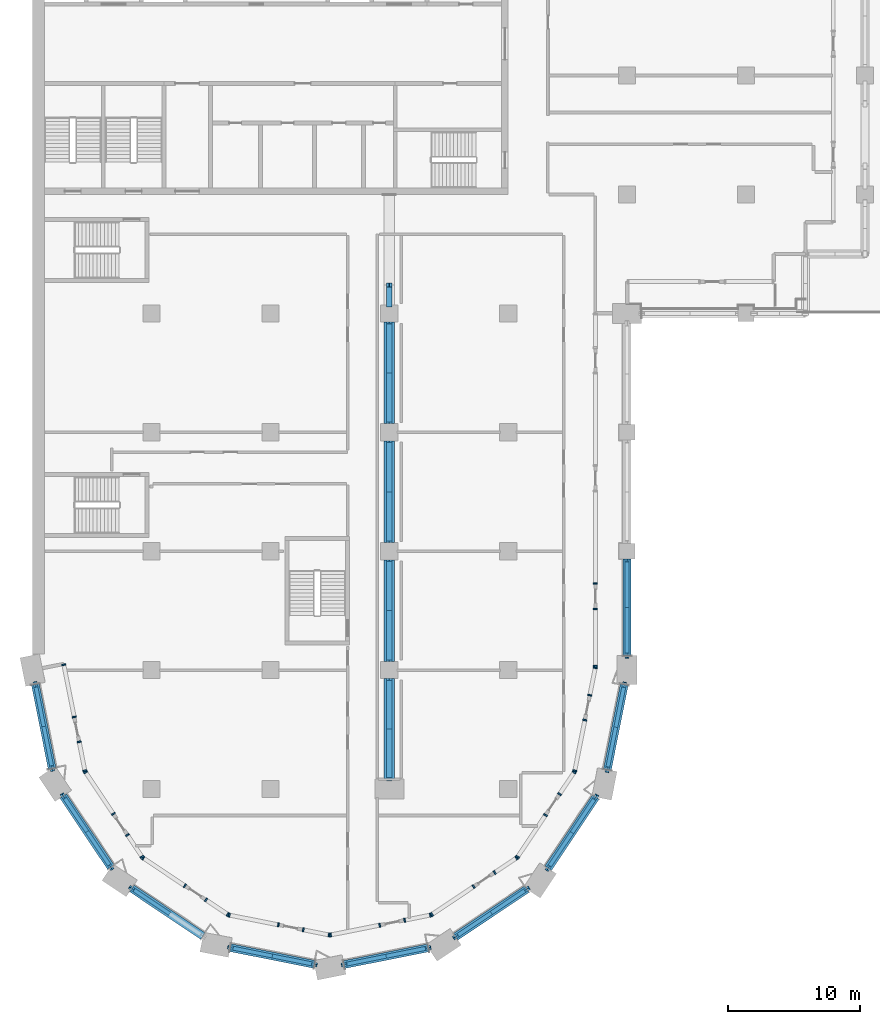
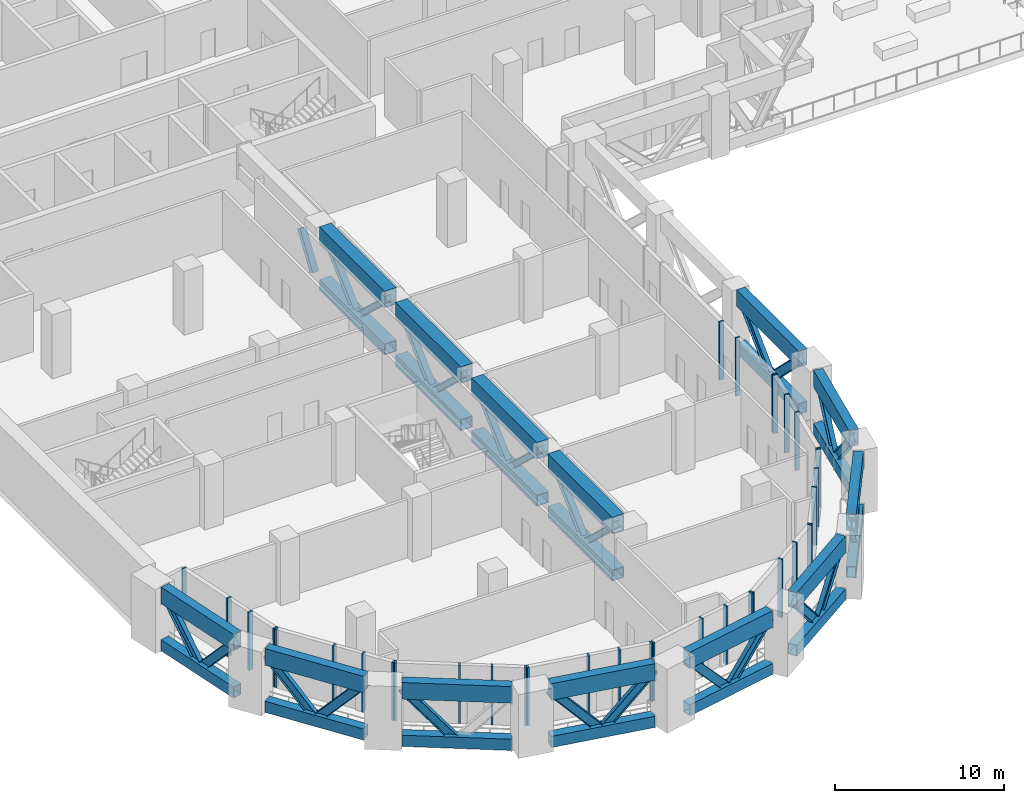
# One storey, part 2 of 22: 87 members.
"""IFC4 building model written with IfcOpenShell, lengths in metres."""

from ifc_helpers import new_model, si_unit, direction, frame, origin, origin_2d, place, context, subcontext, project, spatial, rectangle, hollow_rectangle, i_section, extrude, material, material_profile, profile_set, type_object, element, save


model = new_model("IFC4")

# Units and contexts
model_context = context("Model", 3, precision=1e-05, world=origin(), true_north=direction((0.0, 1.0)))
body_context = subcontext(model_context, "Body", "Model", "MODEL_VIEW")
ifc_project = project(units=[si_unit("LENGTHUNIT", "METRE"), si_unit("AREAUNIT", "SQUARE_METRE"), si_unit("VOLUMEUNIT", "CUBIC_METRE"), si_unit("PLANEANGLEUNIT", "RADIAN"), si_unit("MASSUNIT", "GRAM", prefix="KILO")], contexts=[model_context])

# Site, building, storey
site_placement = place(None, origin())
site = spatial("IfcSite", under=ifc_project, at=site_placement, CompositionType="ELEMENT")
building_placement = place(site_placement, origin())
building = spatial("IfcBuilding", under=site, at=building_placement, Name="Hunhe Ridgeline Campus", CompositionType="ELEMENT")
storey_placement = place(building_placement, frame((0.0, 0.0, 129.199951171875)))
storey = spatial("IfcBuildingStorey", under=building, at=storey_placement, Name="L32", CompositionType="ELEMENT", Elevation=129.199951171875)

# Members
ifc_material_1 = material(Name="Steel Q420", Category="steel")
ifc_material_profile_1 = material_profile(ifc_material_1, hollow_rectangle(XDim=0.60009765625, YDim=0.800048828125, WallThickness=0.035888671875, at=origin_2d()))
ifc_profile_set_1 = profile_set([ifc_material_profile_1], Name="Steel Q420")
member_type_1 = type_object("IfcMemberType", Name="Belt truss bottom chord Box 800x600x36 Steel Q420", PredefinedType="CHORD", material=ifc_profile_set_1)
for number, where, z_axis, x_axis, name in (
    (1, (0.214599609375, 25.921142578125, 0.400146484375), (0.195095759636, -0.980784198778, 0.0), (0.980784198778, 0.195095759636, 0.0), "Belt truss BT1 bottom chord L32 2"),
    (2, (2.32373046875, 17.47509765625, 0.400146484375), (0.555585540178, -0.831459384183, 0.0), (0.831459384183, 0.555585540178, 0.0), "Belt truss BT1 bottom chord L32 6"),
    (3, (7.504638671875, 10.47900390625, 0.400146484375), (0.831476765351, -0.555559527577, 0.0), (0.555559527577, 0.831476765351, 0.0), "Belt truss BT1 bottom chord L32 10"),
    (4, (14.968505859375, 5.998046875, 0.400146484375), (0.980784198778, -0.195095759636, 0.0), (0.195095759636, 0.980784198778, 0.0), "Belt truss BT1 bottom chord L32 14"),
    (5, (23.578857421875, 4.714599609375, 0.400146484375), (0.980784198778, 0.195095759636, 0.0), (-0.195095759636, 0.980784198778, 0.0), "Belt truss BT1 bottom chord L32 18"),
    (6, (32.02490234375, 6.82373046875, 0.400146484375), (0.831459384183, 0.555585540178, 0.0), (-0.555585540178, 0.831459384183, 0.0), "Belt truss BT1 bottom chord L32 22"),
    (7, (39.02099609375, 12.004638671875, 0.400146484375), (0.555559527577, 0.831476765351, 0.0), (-0.831476765351, 0.555559527577, 0.0), "Belt truss BT1 bottom chord L32 26"),
):
    element("IfcMember", number, at=place(storey_placement, frame(where, z_axis=z_axis, x_axis=x_axis)), inside=storey, type_object=member_type_1, Name=name, PredefinedType="CHORD", context=body_context, shape_type="SweptSolid", body=[
        extrude(hollow_rectangle(XDim=0.60009765625, YDim=0.800048828125, WallThickness=0.035888671875, at=origin_2d()), origin(), (0.0, 0.0, 1.0), 6.488525390625),
    ])
member_1_placement = place(storey_placement, frame((43.501953125, 19.468505859375, 0.400146484375), z_axis=(0.195092166671, 0.980784913477, 0.0), x_axis=(-0.980784913477, 0.195092166671, 0.0)))
element("IfcMember", 8, at=member_1_placement, inside=storey, type_object=member_type_1, Name="Belt truss BT1 bottom chord L32 30", PredefinedType="CHORD", context=body_context, shape_type="SweptSolid", body=[
    extrude(hollow_rectangle(XDim=0.60009765625, YDim=0.800048828125, WallThickness=0.035888671875, at=origin_2d()), origin(), (0.0, 0.0, 1.0), 6.557373046875),
])
member_2_placement = place(storey_placement, frame((45.0, 28.10009765625, 0.400146484375), z_axis=(0.0, 1.0, 0.0), x_axis=(-1.0, 0.0, 0.0)))
element("IfcMember", 9, at=member_2_placement, inside=storey, type_object=member_type_1, Name="Belt truss BT1 bottom chord L32 34", PredefinedType="CHORD", context=body_context, shape_type="SweptSolid", body=[
    extrude(hollow_rectangle(XDim=0.60009765625, YDim=0.800048828125, WallThickness=0.035888671875, at=origin_2d()), origin(), (0.0, 0.0, 1.0), 7.2998046875),
])
ifc_material_profile_2 = material_profile(ifc_material_1, i_section(OverallWidth=0.300048828125, OverallDepth=0.587890625, WebThickness=0.011962890625, FlangeThickness=0.02001953125, FilletRadius=0.012939453125, at=origin_2d()))
ifc_profile_set_2 = profile_set([ifc_material_profile_2], Name="Steel Q420")
member_type_2 = type_object("IfcMemberType", Name="Belt truss diagonal HM588x300x12x20 Steel Q420", PredefinedType="BRACE", material=ifc_profile_set_2)
for number, where, z_axis, x_axis, name in (
    (10, (0.214599609375, 25.921142578125, 4.0), (0.130584303457, -0.656599238794, -0.742849365151), (0.980791397962, 0.195059564453, 0.0), "Belt truss BT1 diagonal L32 3"),
    (11, (0.847412109375, 22.7392578125, 0.400146484375), (0.130633823626, -0.656594918366, 0.742844477196), (0.980776998364, 0.195131954021, 0.0), "Belt truss BT1 diagonal L32 4"),
):
    element("IfcMember", number, at=place(storey_placement, frame(where, z_axis=z_axis, x_axis=x_axis)), inside=storey, type_object=member_type_2, Name=name, PredefinedType="BRACE", context=body_context, shape_type="SweptSolid", body=[
        extrude(i_section(OverallWidth=0.300048828125, OverallDepth=0.587890625, WebThickness=0.011962890625, FlangeThickness=0.02001953125, FilletRadius=0.012939453125, at=origin_2d()), origin(), (0.0, 0.0, 1.0), 4.845947265625),
    ])
for number, where, z_axis, x_axis, name in (
    (12, (2.32373046875, 17.47509765625, 4.0), (0.37194822421, -0.556637671583, -0.74283848923), (0.831459384183, 0.555585540178, 0.0), "Belt truss BT1 diagonal L32 7"),
    (13, (4.126220703125, 14.777587890625, 0.400146484375), (0.37194822421, -0.556637671583, 0.74283848923), (0.831459384183, 0.555585540178, 0.0), "Belt truss BT1 diagonal L32 8"),
    (14, (7.504638671875, 10.47900390625, 4.0), (0.556637671583, -0.37194822421, -0.74283848923), (0.555585540178, 0.831459384183, 0.0), "Belt truss BT1 diagonal L32 11"),
):
    element("IfcMember", number, at=place(storey_placement, frame(where, z_axis=z_axis, x_axis=x_axis)), inside=storey, type_object=member_type_2, Name=name, PredefinedType="BRACE", context=body_context, shape_type="SweptSolid", body=[
        extrude(i_section(OverallWidth=0.300048828125, OverallDepth=0.587890625, WebThickness=0.011962890625, FlangeThickness=0.02001953125, FilletRadius=0.012939453125, at=origin_2d()), origin(), (0.0, 0.0, 1.0), 4.84619140625),
    ])
for number, where, z_axis, x_axis, name in (
    (15, (14.968505859375, 5.998046875, 4.0), (0.656599238794, -0.130584303457, -0.742849365151), (0.195059564453, 0.980791397962, 0.0), "Belt truss BT1 diagonal L32 15"),
    (16, (18.150390625, 5.365234375, 0.400146484375), (0.656594918366, -0.130633823626, 0.742844477196), (0.195131954021, 0.980776998364, 0.0), "Belt truss BT1 diagonal L32 16"),
    (17, (23.578857421875, 4.714599609375, 4.0), (0.656599238794, 0.130584303457, -0.742849365151), (-0.195059564453, 0.980791397962, 0.0), "Belt truss BT1 diagonal L32 19"),
    (18, (26.7607421875, 5.347412109375, 0.400146484375), (0.656594918366, 0.130633823626, 0.742844477196), (-0.195131954021, 0.980776998364, 0.0), "Belt truss BT1 diagonal L32 20"),
):
    element("IfcMember", number, at=place(storey_placement, frame(where, z_axis=z_axis, x_axis=x_axis)), inside=storey, type_object=member_type_2, Name=name, PredefinedType="BRACE", context=body_context, shape_type="SweptSolid", body=[
        extrude(i_section(OverallWidth=0.300048828125, OverallDepth=0.587890625, WebThickness=0.011962890625, FlangeThickness=0.02001953125, FilletRadius=0.012939453125, at=origin_2d()), origin(), (0.0, 0.0, 1.0), 4.845947265625),
    ])
for number, where, z_axis, x_axis, name in (
    (19, (32.02490234375, 6.82373046875, 4.0), (0.556637671583, 0.37194822421, -0.74283848923), (-0.555585540178, 0.831459384183, 0.0), "Belt truss BT1 diagonal L32 23"),
    (20, (34.722412109375, 8.626220703125, 0.400146484375), (0.556637671583, 0.37194822421, 0.74283848923), (-0.555585540178, 0.831459384183, 0.0), "Belt truss BT1 diagonal L32 24"),
    (21, (39.02099609375, 12.004638671875, 4.0), (0.37194822421, 0.556637671583, -0.74283848923), (-0.831459384183, 0.555585540178, 0.0), "Belt truss BT1 diagonal L32 27"),
):
    element("IfcMember", number, at=place(storey_placement, frame(where, z_axis=z_axis, x_axis=x_axis)), inside=storey, type_object=member_type_2, Name=name, PredefinedType="BRACE", context=body_context, shape_type="SweptSolid", body=[
        extrude(i_section(OverallWidth=0.300048828125, OverallDepth=0.587890625, WebThickness=0.011962890625, FlangeThickness=0.02001953125, FilletRadius=0.012939453125, at=origin_2d()), origin(), (0.0, 0.0, 1.0), 4.84619140625),
    ])
member_3_placement = place(storey_placement, frame((40.823486328125, 14.7021484375, 0.400146484375), z_axis=(0.371904813689, 0.55664810166, 0.74285240827), x_axis=(-0.831494146431, 0.555533513346, 0.0)))
element("IfcMember", 22, at=member_3_placement, inside=storey, type_object=member_type_2, Name="Belt truss BT1 diagonal L32 28", PredefinedType="BRACE", context=body_context, shape_type="SweptSolid", body=[
    extrude(i_section(OverallWidth=0.300048828125, OverallDepth=0.587890625, WebThickness=0.011962890625, FlangeThickness=0.02001953125, FilletRadius=0.012939453125, at=origin_2d()), origin(), (0.0, 0.0, 1.0), 4.845947265625),
])
for number, where, z_axis, x_axis, name in (
    (23, (43.501953125, 19.468505859375, 4.0), (0.131364878597, 0.660434420182, -0.739303486607), (-0.980786330459, 0.195085042955, 0.0), "Belt truss BT1 diagonal L32 31"),
    (24, (44.1416015625, 22.684326171875, 0.400146484375), (0.131369228625, 0.660406148937, 0.739327967966), (-0.980783496339, 0.195099290897, 0.0), "Belt truss BT1 diagonal L32 32"),
):
    element("IfcMember", number, at=place(storey_placement, frame(where, z_axis=z_axis, x_axis=x_axis)), inside=storey, type_object=member_type_2, Name=name, PredefinedType="BRACE", context=body_context, shape_type="SweptSolid", body=[
        extrude(i_section(OverallWidth=0.300048828125, OverallDepth=0.587890625, WebThickness=0.011962890625, FlangeThickness=0.02001953125, FilletRadius=0.012939453125, at=origin_2d()), origin(), (0.0, 0.0, 1.0), 4.869140625),
    ])
for number, where, z_axis, x_axis, name in (
    (25, (45.0, 28.10009765625, 4.0), (0.0, 0.711971340796, -0.702208523079), (-1.0, 0.0, 0.0), "Belt truss BT1 diagonal L32 35"),
    (26, (45.0, 31.75, 0.400146484375), (0.0, 0.711971340796, 0.702208523079), (-1.0, 0.0, 0.0), "Belt truss BT1 diagonal L32 36"),
):
    element("IfcMember", number, at=place(storey_placement, frame(where, z_axis=z_axis, x_axis=x_axis)), inside=storey, type_object=member_type_2, Name=name, PredefinedType="BRACE", context=body_context, shape_type="SweptSolid", body=[
        extrude(i_section(OverallWidth=0.300048828125, OverallDepth=0.587890625, WebThickness=0.011962890625, FlangeThickness=0.02001953125, FilletRadius=0.012939453125, at=origin_2d()), origin(), (0.0, 0.0, 1.0), 5.12646484375),
    ])
ifc_material_profile_3 = material_profile(ifc_material_1, hollow_rectangle(XDim=0.60009765625, YDim=1.199951171875, WallThickness=0.035888671875, at=origin_2d()))
ifc_profile_set_3 = profile_set([ifc_material_profile_3], Name="Steel Q420")
member_type_3 = type_object("IfcMemberType", Name="Belt truss top chord Box 1200x600x36 Steel Q420", PredefinedType="CHORD", material=ifc_profile_set_3)
for number, where, z_axis, x_axis, name in (
    (27, (0.214599609375, 25.921142578125, 4.0), (0.195095759636, -0.980784198778, 0.0), (0.980784198778, 0.195095759636, 0.0), "Belt truss BT1 top chord L32 1"),
    (28, (2.32373046875, 17.47509765625, 4.0), (0.555585540178, -0.831459384183, 0.0), (0.831459384183, 0.555585540178, 0.0), "Belt truss BT1 top chord L32 5"),
    (29, (7.504638671875, 10.47900390625, 4.0), (0.831476765351, -0.555559527577, 0.0), (0.555559527577, 0.831476765351, 0.0), "Belt truss BT1 top chord L32 9"),
    (30, (14.968505859375, 5.998046875, 4.0), (0.980784198778, -0.195095759636, 0.0), (0.195095759636, 0.980784198778, 0.0), "Belt truss BT1 top chord L32 13"),
    (31, (23.578857421875, 4.714599609375, 4.0), (0.980784198778, 0.195095759636, 0.0), (-0.195095759636, 0.980784198778, 0.0), "Belt truss BT1 top chord L32 17"),
    (32, (32.02490234375, 6.82373046875, 4.0), (0.831459384183, 0.555585540178, 0.0), (-0.555585540178, 0.831459384183, 0.0), "Belt truss BT1 top chord L32 21"),
    (33, (39.02099609375, 12.004638671875, 4.0), (0.555559527577, 0.831476765351, 0.0), (-0.831476765351, 0.555559527577, 0.0), "Belt truss BT1 top chord L32 25"),
):
    element("IfcMember", number, at=place(storey_placement, frame(where, z_axis=z_axis, x_axis=x_axis)), inside=storey, type_object=member_type_3, Name=name, PredefinedType="CHORD", context=body_context, shape_type="SweptSolid", body=[
        extrude(hollow_rectangle(XDim=0.60009765625, YDim=1.199951171875, WallThickness=0.035888671875, at=origin_2d()), origin(), (0.0, 0.0, 1.0), 6.488525390625),
    ])
member_4_placement = place(storey_placement, frame((43.501953125, 19.468505859375, 4.0), z_axis=(0.195092166671, 0.980784913477, 0.0), x_axis=(-0.980784913477, 0.195092166671, 0.0)))
element("IfcMember", 34, at=member_4_placement, inside=storey, type_object=member_type_3, Name="Belt truss BT1 top chord L32 29", PredefinedType="CHORD", context=body_context, shape_type="SweptSolid", body=[
    extrude(hollow_rectangle(XDim=0.60009765625, YDim=1.199951171875, WallThickness=0.035888671875, at=origin_2d()), origin(), (0.0, 0.0, 1.0), 6.557373046875),
])
member_5_placement = place(storey_placement, frame((45.0, 28.10009765625, 4.0), z_axis=(0.0, 1.0, 0.0), x_axis=(-1.0, 0.0, 0.0)))
element("IfcMember", 35, at=member_5_placement, inside=storey, type_object=member_type_3, Name="Belt truss BT1 top chord L32 33", PredefinedType="CHORD", context=body_context, shape_type="SweptSolid", body=[
    extrude(hollow_rectangle(XDim=0.60009765625, YDim=1.199951171875, WallThickness=0.035888671875, at=origin_2d()), origin(), (0.0, 0.0, 1.0), 7.2998046875),
])
ifc_material_2 = material(Name="Aluminium 6063", Category="aluminium")
ifc_material_profile_4 = material_profile(ifc_material_2, rectangle(XDim=0.300048828125, YDim=0.1201171875, at=origin_2d()))
ifc_profile_set_4 = profile_set([ifc_material_profile_4], Name="Aluminium 6063")
member_type_4 = type_object("IfcMemberType", Name="Louvre frame jamb 120x300 Aluminium 6063", PredefinedType="USERDEFINED", material=ifc_profile_set_4)
for number, where, z_axis, x_axis, name in (
    (36, (2.366455078125, 27.409912109375, 0.0), (0.0, 0.0, 1.0), (0.980784280831, 0.195095347137, 0.0), "Louvre frame jamb 1a"),
    (37, (3.15283203125, 23.456298828125, 0.0), (0.0, 0.0, 1.0), (0.980784280831, 0.195095347137, 0.0), "Louvre frame jamb 1b"),
    (38, (3.52734375, 21.5732421875, 0.0), (0.0, 0.0, 1.0), (0.980784306597, 0.195095217605, 0.0), "Louvre frame jamb 2a"),
    (39, (3.962646484375, 19.38525390625, 0.0), (0.0, 0.0, 1.0), (0.980784306597, 0.195095217605, 0.0), "Louvre frame jamb 2b"),
    (40, (4.0078125, 19.276611328125, 0.0), (0.0, 0.0, 1.0), (0.83146952548, 0.555570362959, 0.0), "Louvre frame jamb 3a"),
    (41, (6.114501953125, 16.123779296875, 0.0), (0.0, 0.0, 1.0), (0.83146952548, 0.555570362959, 0.0), "Louvre frame jamb 3b"),
    (42, (7.18115234375, 14.52734375, 0.0), (0.0, 0.0, 1.0), (0.831469622629, 0.555570217564, 0.0), "Louvre frame jamb 4a"),
    (43, (8.287841796875, 12.87109375, 0.0), (0.0, 0.0, 1.0), (0.831469622629, 0.555570217564, 0.0), "Louvre frame jamb 4b"),
    (44, (8.37109375, 12.787841796875, 0.0), (0.0, 0.0, 1.0), (0.555570186233, 0.831469643564, 0.0), "Louvre frame jamb 5a"),
    (45, (11.52392578125, 10.68115234375, 0.0), (0.0, 0.0, 1.0), (0.555570186233, 0.831469643564, 0.0), "Louvre frame jamb 5b"),
    (46, (13.120361328125, 9.614501953125, 0.0), (0.0, 0.0, 1.0), (0.555570217564, 0.831469622629, 0.0), "Louvre frame jamb 6a"),
    (47, (14.776611328125, 8.5078125, 0.0), (0.0, 0.0, 1.0), (0.555570217564, 0.831469622629, 0.0), "Louvre frame jamb 6b"),
    (48, (14.88525390625, 8.462646484375, 0.0), (0.0, 0.0, 1.0), (0.195090224598, 0.980785299781, 0.0), "Louvre frame jamb 7a"),
    (49, (18.6044921875, 7.722900390625, 0.0), (0.0, 0.0, 1.0), (0.195090224598, 0.980785299781, 0.0), "Louvre frame jamb 7b"),
    (50, (20.487548828125, 7.348388671875, 0.0), (0.0, 0.0, 1.0), (0.195090359847, 0.980785272878, 0.0), "Louvre frame jamb 8a"),
    (51, (22.441162109375, 6.959716796875, 0.0), (0.0, 0.0, 1.0), (0.195090359847, 0.980785272878, 0.0), "Louvre frame jamb 8b"),
    (52, (22.558837890625, 6.959716796875, 0.0), (0.0, 0.0, 1.0), (-0.195090470497, 0.980785250869, 0.0), "Louvre frame jamb 9a"),
    (53, (26.27783203125, 7.699462890625, 0.0), (0.0, 0.0, 1.0), (-0.195090470497, 0.980785250869, 0.0), "Louvre frame jamb 9b"),
    (54, (28.1611328125, 8.073974609375, 0.0), (0.0, 0.0, 1.0), (-0.195090359847, 0.980785272878, 0.0), "Louvre frame jamb 10a"),
    (55, (30.11474609375, 8.462646484375, 0.0), (0.0, 0.0, 1.0), (-0.195090359847, 0.980785272878, 0.0), "Louvre frame jamb 10b"),
    (56, (30.223388671875, 8.5078125, 0.0), (0.0, 0.0, 1.0), (-0.555570362959, 0.83146952548, 0.0), "Louvre frame jamb 11a"),
    (57, (33.376220703125, 10.614501953125, 0.0), (0.0, 0.0, 1.0), (-0.555570362959, 0.83146952548, 0.0), "Louvre frame jamb 11b"),
    (58, (34.97265625, 11.68115234375, 0.0), (0.0, 0.0, 1.0), (-0.555570217564, 0.831469622629, 0.0), "Louvre frame jamb 12a"),
    (59, (36.62890625, 12.787841796875, 0.0), (0.0, 0.0, 1.0), (-0.555570217564, 0.831469622629, 0.0), "Louvre frame jamb 12b"),
    (60, (36.712158203125, 12.87109375, 0.0), (0.0, 0.0, 1.0), (-0.83146952548, 0.555570362959, 0.0), "Louvre frame jamb 13a"),
    (61, (38.81884765625, 16.02392578125, 0.0), (0.0, 0.0, 1.0), (-0.83146952548, 0.555570362959, 0.0), "Louvre frame jamb 13b"),
    (62, (39.885498046875, 17.620361328125, 0.0), (0.0, 0.0, 1.0), (-0.831469622629, 0.555570217564, 0.0), "Louvre frame jamb 14a"),
    (63, (40.9921875, 19.276611328125, 0.0), (0.0, 0.0, 1.0), (-0.831469622629, 0.555570217564, 0.0), "Louvre frame jamb 14b"),
    (64, (41.037353515625, 19.38525390625, 0.0), (0.0, 0.0, 1.0), (-0.980785308664, 0.195090179937, 0.0), "Louvre frame jamb 15a"),
    (65, (41.800537109375, 23.22265625, 0.0), (0.0, 0.0, 1.0), (-0.980785308664, 0.195090179937, 0.0), "Louvre frame jamb 15b"),
    (66, (42.175048828125, 25.105712890625, 0.0), (0.0, 0.0, 1.0), (-0.980785273328, 0.195090357587, 0.0), "Louvre frame jamb 16a"),
    (67, (42.58740234375, 27.177734375, 0.0), (0.0, 0.0, 1.0), (-0.980785273328, 0.195090357587, 0.0), "Louvre frame jamb 16b"),
    (68, (42.59912109375, 27.29638671875, 0.0), (0.0, 0.0, 1.0), (-0.99999999999, 4.483629e-06, 0.0), "Louvre frame jamb 17a"),
    (69, (42.59912109375, 31.63720703125, 0.0), (0.0, 0.0, 1.0), (-0.99999999999, 4.483629e-06, 0.0), "Louvre frame jamb 17b"),
    (70, (42.59912109375, 33.55712890625, 0.0), (0.0, 0.0, 1.0), (-0.999999999991, 4.353113e-06, 0.0), "Louvre frame jamb 18a"),
):
    element("IfcMember", number, at=place(storey_placement, frame(where, z_axis=z_axis, x_axis=x_axis)), inside=storey, type_object=member_type_4, Name=name, ObjectType="LOUVRE FRAME", PredefinedType="USERDEFINED", context=body_context, shape_type="SweptSolid", body=[
        extrude(rectangle(XDim=0.300048828125, YDim=0.1201171875, at=origin_2d()), origin(), (0.0, 0.0, 1.0), 4.199951171875),
    ])
ifc_material_profile_5 = material_profile(ifc_material_1, hollow_rectangle(XDim=0.800048828125, YDim=0.800048828125, WallThickness=0.044921875, at=origin_2d()))
ifc_profile_set_5 = profile_set([ifc_material_profile_5], Name="Steel Q420")
member_type_5 = type_object("IfcMemberType", Name="Outrigger truss bottom chord Box 800x800x45 Steel Q420", PredefinedType="CHORD", material=ifc_profile_set_5)
for number, where, z_axis, x_axis, name in (
    (71, (27.0, 53.35009765625, 0.400146484375), (0.0, -1.0, 0.0), (1.0, 0.0, 0.0), "Outrigger truss OR2 bottom chord L32 5"),
    (72, (27.0, 44.35009765625, 0.400146484375), (0.0, -1.0, 0.0), (1.0, 0.0, 0.0), "Outrigger truss OR2 bottom chord L32 9"),
    (73, (27.0, 35.35009765625, 0.400146484375), (0.0, -1.0, 0.0), (1.0, 0.0, 0.0), "Outrigger truss OR2 bottom chord L32 13"),
):
    element("IfcMember", number, at=place(storey_placement, frame(where, z_axis=z_axis, x_axis=x_axis)), inside=storey, type_object=member_type_5, Name=name, PredefinedType="CHORD", context=body_context, shape_type="SweptSolid", body=[
        extrude(hollow_rectangle(XDim=0.800048828125, YDim=0.800048828125, WallThickness=0.044921875, at=origin_2d()), origin(), (0.0, 0.0, 1.0), 7.7001953125),
    ])
member_6_placement = place(storey_placement, frame((27.0, 26.35009765625, 0.400146484375), z_axis=(0.0, -1.0, 0.0), x_axis=(1.0, 0.0, 0.0)))
element("IfcMember", 74, at=member_6_placement, inside=storey, type_object=member_type_5, Name="Outrigger truss OR2 bottom chord L32 17", PredefinedType="CHORD", context=body_context, shape_type="SweptSolid", body=[
    extrude(hollow_rectangle(XDim=0.800048828125, YDim=0.800048828125, WallThickness=0.044921875, at=origin_2d()), origin(), (0.0, 0.0, 1.0), 7.60009765625),
])
ifc_material_profile_6 = material_profile(ifc_material_1, i_section(OverallWidth=0.407958984375, OverallDepth=0.39990234375, WebThickness=0.02099609375, FlangeThickness=0.02099609375, FilletRadius=0.02197265625, at=origin_2d()))
ifc_profile_set_6 = profile_set([ifc_material_profile_6], Name="Steel Q420")
member_type_6 = type_object("IfcMemberType", Name="Outrigger truss diagonal HW400x408x21x21 Steel Q420", PredefinedType="BRACE", material=ifc_profile_set_6)
member_7_placement = place(storey_placement, frame((27.0, 56.14990234375, 2.699951171875), z_axis=(0.0, -0.546300327661, -0.837589369558), x_axis=(1.0, 0.0, 0.0)))
element("IfcMember", 75, at=member_7_placement, inside=storey, type_object=member_type_6, Name="Outrigger truss OR2 knee brace L32 3", PredefinedType="BRACE", context=body_context, shape_type="SweptSolid", body=[
    extrude(i_section(OverallWidth=0.407958984375, OverallDepth=0.39990234375, WebThickness=0.02099609375, FlangeThickness=0.02099609375, FilletRadius=0.02197265625, at=origin_2d()), origin(), (0.0, 0.0, 1.0), 2.745849609375),
])
for number, where, z_axis, x_axis, name in (
    (76, (27.0, 53.35009765625, 4.0), (0.0, -0.730446562778, -0.682969852135), (1.0, 0.0, 0.0), "Outrigger truss OR2 diagonal L32 6"),
    (77, (27.0, 49.5, 0.400146484375), (0.0, -0.730446562778, 0.682969852135), (1.0, 0.0, 0.0), "Outrigger truss OR2 diagonal L32 7"),
    (78, (27.0, 44.35009765625, 4.0), (0.0, -0.730446562778, -0.682969852135), (1.0, 0.0, 0.0), "Outrigger truss OR2 diagonal L32 10"),
    (79, (27.0, 40.5, 0.400146484375), (0.0, -0.730446562778, 0.682969852135), (1.0, 0.0, 0.0), "Outrigger truss OR2 diagonal L32 11"),
    (80, (27.0, 35.35009765625, 4.0), (0.0, -0.730446562778, -0.682969852135), (1.0, 0.0, 0.0), "Outrigger truss OR2 diagonal L32 14"),
    (81, (27.0, 31.5, 0.400146484375), (0.0, -0.730446562778, 0.682969852135), (1.0, 0.0, 0.0), "Outrigger truss OR2 diagonal L32 15"),
):
    element("IfcMember", number, at=place(storey_placement, frame(where, z_axis=z_axis, x_axis=x_axis)), inside=storey, type_object=member_type_6, Name=name, PredefinedType="BRACE", context=body_context, shape_type="SweptSolid", body=[
        extrude(i_section(OverallWidth=0.407958984375, OverallDepth=0.39990234375, WebThickness=0.02099609375, FlangeThickness=0.02099609375, FilletRadius=0.02197265625, at=origin_2d()), origin(), (0.0, 0.0, 1.0), 5.27099609375),
    ])
for number, where, z_axis, x_axis, name in (
    (82, (27.0, 26.35009765625, 4.0), (0.0, -0.725971067789, -0.687725242181), (1.0, 0.0, 0.0), "Outrigger truss OR2 diagonal L32 18"),
    (83, (27.0, 22.550048828125, 0.400146484375), (0.0, -0.725971067789, 0.687725242181), (1.0, 0.0, 0.0), "Outrigger truss OR2 diagonal L32 19"),
):
    element("IfcMember", number, at=place(storey_placement, frame(where, z_axis=z_axis, x_axis=x_axis)), inside=storey, type_object=member_type_6, Name=name, PredefinedType="BRACE", context=body_context, shape_type="SweptSolid", body=[
        extrude(i_section(OverallWidth=0.407958984375, OverallDepth=0.39990234375, WebThickness=0.02099609375, FlangeThickness=0.02099609375, FilletRadius=0.02197265625, at=origin_2d()), origin(), (0.0, 0.0, 1.0), 5.234375),
    ])
ifc_material_profile_7 = material_profile(ifc_material_1, hollow_rectangle(XDim=0.800048828125, YDim=1.199951171875, WallThickness=0.044921875, at=origin_2d()))
ifc_profile_set_7 = profile_set([ifc_material_profile_7], Name="Steel Q420")
member_type_7 = type_object("IfcMemberType", Name="Outrigger truss top chord Box 1200x800x45 Steel Q420", PredefinedType="CHORD", material=ifc_profile_set_7)
for number, where, z_axis, x_axis, name in (
    (84, (27.0, 53.35009765625, 4.0), (0.0, -1.0, 0.0), (1.0, 0.0, 0.0), "Outrigger truss OR2 top chord L32 4"),
    (85, (27.0, 44.35009765625, 4.0), (0.0, -1.0, 0.0), (1.0, 0.0, 0.0), "Outrigger truss OR2 top chord L32 8"),
    (86, (27.0, 35.35009765625, 4.0), (0.0, -1.0, 0.0), (1.0, 0.0, 0.0), "Outrigger truss OR2 top chord L32 12"),
):
    element("IfcMember", number, at=place(storey_placement, frame(where, z_axis=z_axis, x_axis=x_axis)), inside=storey, type_object=member_type_7, Name=name, PredefinedType="CHORD", context=body_context, shape_type="SweptSolid", body=[
        extrude(hollow_rectangle(XDim=0.800048828125, YDim=1.199951171875, WallThickness=0.044921875, at=origin_2d()), origin(), (0.0, 0.0, 1.0), 7.7001953125),
    ])
member_8_placement = place(storey_placement, frame((27.0, 26.35009765625, 4.0), z_axis=(0.0, -1.0, 0.0), x_axis=(1.0, 0.0, 0.0)))
element("IfcMember", 87, at=member_8_placement, inside=storey, type_object=member_type_7, Name="Outrigger truss OR2 top chord L32 16", PredefinedType="CHORD", context=body_context, shape_type="SweptSolid", body=[
    extrude(hollow_rectangle(XDim=0.800048828125, YDim=1.199951171875, WallThickness=0.044921875, at=origin_2d()), origin(), (0.0, 0.0, 1.0), 7.60009765625),
])

save(model, "model.ifc")
